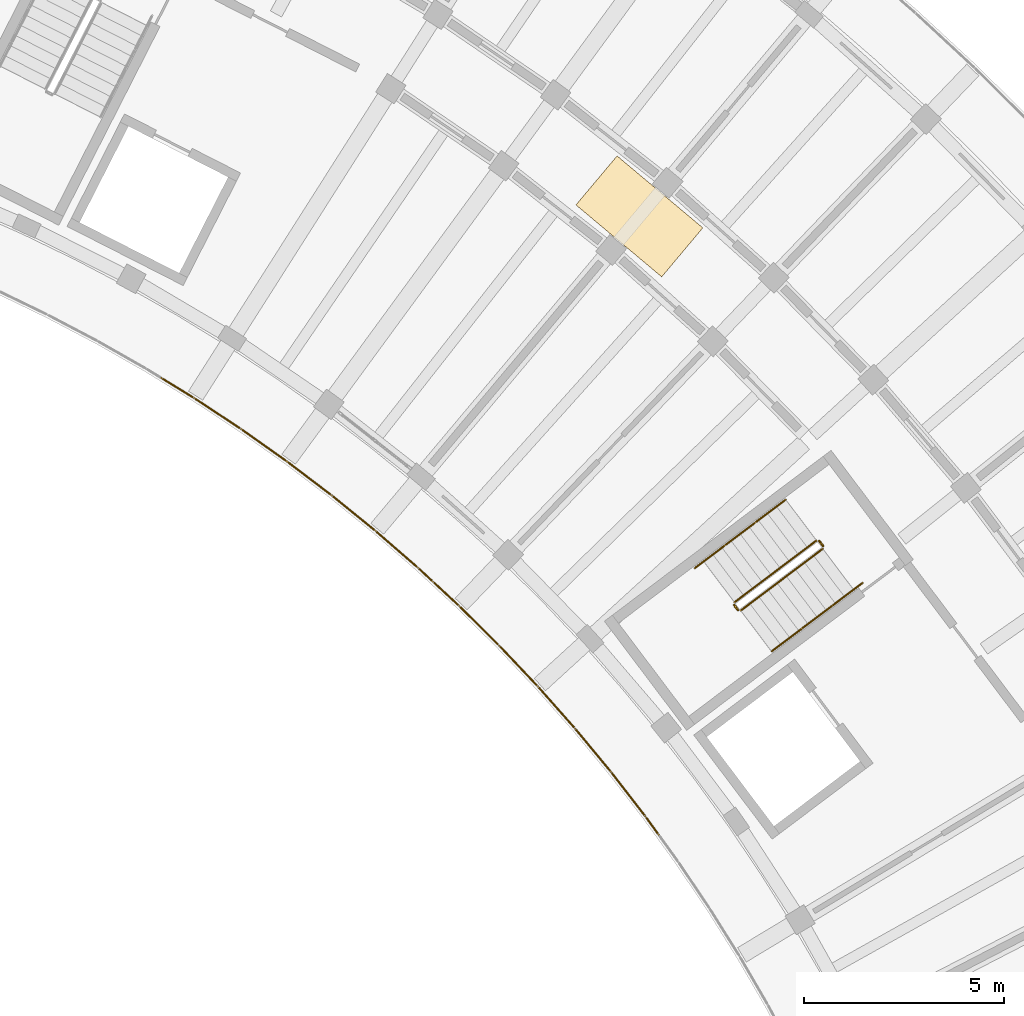
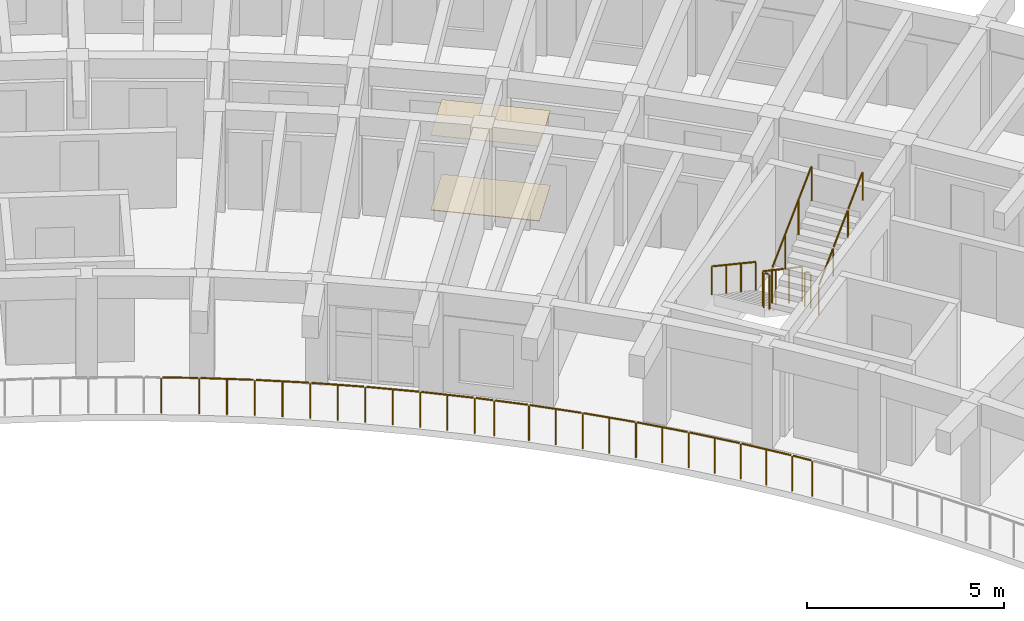
# One storey, part 78 of 81: 12 railings, 2 coverings.
"""IFC4 building model written with IfcOpenShell, lengths in metres."""

from ifc_helpers import new_model, si_unit, direction, frame, origin, origin_2d, place, context, subcontext, project, spatial, rectangle, circle, extrude, material, layer, layer_set, type_object, element, save


model = new_model("IFC4")

# Units and contexts
model_context = context("Model", 3, precision=1e-05, world=origin(), true_north=direction((0.0, 1.0)))
body_context = subcontext(model_context, "Body", "Model", "MODEL_VIEW")
ifc_project = project(units=[si_unit("LENGTHUNIT", "METRE"), si_unit("AREAUNIT", "SQUARE_METRE"), si_unit("VOLUMEUNIT", "CUBIC_METRE"), si_unit("PLANEANGLEUNIT", "RADIAN"), si_unit("MASSUNIT", "GRAM", prefix="KILO")], contexts=[model_context])

# Site, building, storey
site_placement = place(None, origin())
site = spatial("IfcSite", under=ifc_project, at=site_placement, CompositionType="ELEMENT")
building_placement = place(site_placement, origin())
building = spatial("IfcBuilding", under=site, at=building_placement, Name="Tanwirah Colonnade Gardens", CompositionType="ELEMENT")
storey_placement = place(building_placement, frame((0.0, 0.0, 18.919921875)))
storey = spatial("IfcBuildingStorey", under=building, at=storey_placement, Name="L05", CompositionType="ELEMENT", Elevation=18.919921875)

# Railings
ifc_material_1 = material(Name="Precast concrete C40/50", Category="concrete")
railing_type_1 = type_object("IfcRailingType", Name="BAL-EXT112", PredefinedType="BALUSTRADE", material=ifc_material_1)
railing_1_placement = place(storey_placement, frame((155.51513671875, 85.296142578125, 0.0)))
element("IfcRailing", 1, at=railing_1_placement, inside=storey, type_object=railing_type_1, Name="Block B L05 Balcony Ribbon Balustrade 3", PredefinedType="BALUSTRADE", context=body_context, shape_type="SweptSolid", body=[
    extrude(circle(Radius=0.02392578125, at=origin_2d()), frame((-0.018310546875, 0.025390625, 1.09619140625), z_axis=(-0.585664903779, 0.810553280471, 0.0), x_axis=(-0.810553280471, -0.585664903779, 0.0)), (0.0, 0.0, 1.0), 0.499755859375),
    extrude(circle(Radius=0.02392578125, at=origin_2d()), frame((-0.349853515625, 0.482666015625, 1.09619140625), z_axis=(-0.611783903817, 0.791024939576, 0.0), x_axis=(-0.791024939576, -0.611783903817, 0.0)), (0.0, 0.0, 1.0), 1.341796875),
    extrude(circle(Radius=0.02392578125, at=origin_2d()), frame((-1.211669921875, 1.594970703125, 1.09619140625), z_axis=(-0.637581943595, 0.770382544715, 0.0), x_axis=(-0.770382544715, -0.637581943595, 0.0)), (0.0, 0.0, 1.0), 1.342041015625),
    extrude(circle(Radius=0.02392578125, at=origin_2d()), frame((-2.109619140625, 2.67822265625, 1.09619140625), z_axis=(-0.662581384852, 0.748989925464, 0.0), x_axis=(-0.748989925464, -0.662581384852, 0.0)), (0.0, 0.0, 1.0), 1.341796875),
    extrude(circle(Radius=0.02392578125, at=origin_2d()), frame((-3.04248046875, 3.731201171875, 1.09619140625), z_axis=(-0.687011382404, 0.726646654466, 0.0), x_axis=(-0.726646654466, -0.687011382404, 0.0)), (0.0, 0.0, 1.0), 1.341796875),
    extrude(circle(Radius=0.02392578125, at=origin_2d()), frame((-4.009765625, 4.7529296875, 1.09619140625), z_axis=(-0.710488556831, 0.703708754111, 0.0), x_axis=(-0.703708754111, -0.710488556831, 0.0)), (0.0, 0.0, 1.0), 1.341796875),
    extrude(circle(Radius=0.02392578125, at=origin_2d()), frame((-5.01025390625, 5.7421875, 1.09619140625), z_axis=(-0.733450086442, 0.67974331236, 0.0), x_axis=(-0.67974331236, -0.733450086442, 0.0)), (0.0, 0.0, 1.0), 0.837646484375),
    extrude(circle(Radius=0.02099609375, at=origin_2d()), origin(), (0.0, 0.0, 1.0), 1.069091796875),
    extrude(circle(Radius=0.02099609375, at=origin_2d()), frame((-0.329345703125, 0.455810546875, 0.0)), (0.0, 0.0, 1.0), 1.069091796875),
    extrude(circle(Radius=0.02099609375, at=origin_2d()), frame((-0.76025390625, 1.013427734375, 0.0)), (0.0, 0.0, 1.0), 1.069091796875),
    extrude(circle(Radius=0.02099609375, at=origin_2d()), frame((-1.18994140625, 1.56884765625, 0.0)), (0.0, 0.0, 1.0), 1.069091796875),
    extrude(circle(Radius=0.02099609375, at=origin_2d()), frame((-1.639404296875, 2.11181640625, 0.0)), (0.0, 0.0, 1.0), 1.069091796875),
    extrude(circle(Radius=0.02099609375, at=origin_2d()), frame((-2.087158203125, 2.65283203125, 0.0)), (0.0, 0.0, 1.0), 1.069091796875),
    extrude(circle(Radius=0.02099609375, at=origin_2d()), frame((-2.55419921875, 3.1806640625, 0.0)), (0.0, 0.0, 1.0), 1.069091796875),
    extrude(circle(Radius=0.02099609375, at=origin_2d()), frame((-3.019287109375, 3.70654296875, 0.0)), (0.0, 0.0, 1.0), 1.069091796875),
    extrude(circle(Radius=0.02099609375, at=origin_2d()), frame((-3.50341796875, 4.21875, 0.0)), (0.0, 0.0, 1.0), 1.069091796875),
    extrude(circle(Radius=0.02099609375, at=origin_2d()), frame((-3.98583984375, 4.72900390625, 0.0)), (0.0, 0.0, 1.0), 1.069091796875),
    extrude(circle(Radius=0.02099609375, at=origin_2d()), frame((-4.486328125, 5.22509765625, 0.0)), (0.0, 0.0, 1.0), 1.069091796875),
    extrude(circle(Radius=0.02099609375, at=origin_2d()), frame((-4.9853515625, 5.71923828125, 0.0)), (0.0, 0.0, 1.0), 1.069091796875),
    extrude(circle(Radius=0.02099609375, at=origin_2d()), frame((-5.6474609375, 6.332763671875, 0.0)), (0.0, 0.0, 1.0), 1.069091796875),
])
railing_2_placement = place(storey_placement, frame((149.86767578125, 91.62890625, 0.0)))
element("IfcRailing", 2, at=railing_2_placement, inside=storey, type_object=railing_type_1, Name="Block B L05 Balcony Ribbon Balustrade 4", PredefinedType="BALUSTRADE", context=body_context, shape_type="SweptSolid", body=[
    extrude(circle(Radius=0.02392578125, at=origin_2d()), frame((-0.02294921875, 0.021240234375, 1.09619140625), z_axis=(-0.733224282582, 0.679986875926, 0.0), x_axis=(-0.679986875926, -0.733224282582, 0.0)), (0.0, 0.0, 1.0), 0.44189453125),
    extrude(circle(Radius=0.02392578125, at=origin_2d()), frame((-0.3955078125, 0.365234375, 1.09619140625), z_axis=(-0.755402192857, 0.655261418845, 0.0), x_axis=(-0.655261418845, -0.755402192857, 0.0)), (0.0, 0.0, 1.0), 1.341796875),
    extrude(circle(Radius=0.02392578125, at=origin_2d()), frame((-1.458740234375, 1.286376953125, 1.09619140625), z_axis=(-0.776491375378, 0.630127879056, 0.0), x_axis=(-0.630127879056, -0.776491375378, 0.0)), (0.0, 0.0, 1.0), 1.342041015625),
    extrude(circle(Radius=0.02392578125, at=origin_2d()), frame((-2.552001953125, 2.171875, 1.09619140625), z_axis=(-0.796818244666, 0.604219070344, 0.0), x_axis=(-0.604219070344, -0.796818244666, 0.0)), (0.0, 0.0, 1.0), 1.342041015625),
    extrude(circle(Radius=0.02392578125, at=origin_2d()), frame((-3.674072265625, 3.021240234375, 1.09619140625), z_axis=(-0.816321661452, 0.577597563226, 0.0), x_axis=(-0.577597563226, -0.816321661452, 0.0)), (0.0, 0.0, 1.0), 1.341552734375),
    extrude(circle(Radius=0.02392578125, at=origin_2d()), frame((-4.822998046875, 3.832763671875, 1.09619140625), z_axis=(-0.834927342507, 0.550360184547, 0.0), x_axis=(-0.550360184547, -0.834927342507, 0.0)), (0.0, 0.0, 1.0), 1.341796875),
    extrude(circle(Radius=0.02392578125, at=origin_2d()), frame((-5.998291015625, 4.606201171875, 1.09619140625), z_axis=(-0.852645184943, 0.522490371771, 0.0), x_axis=(-0.522490371771, -0.852645184943, 0.0)), (0.0, 0.0, 1.0), 0.895751953125),
    extrude(circle(Radius=0.02099609375, at=origin_2d()), origin(), (0.0, 0.0, 1.0), 1.069091796875),
    extrude(circle(Radius=0.02099609375, at=origin_2d()), frame((-0.369873046875, 0.343017578125, 0.0)), (0.0, 0.0, 1.0), 1.069091796875),
    extrude(circle(Radius=0.02099609375, at=origin_2d()), frame((-0.90234375, 0.8046875, 0.0)), (0.0, 0.0, 1.0), 1.069091796875),
    extrude(circle(Radius=0.02099609375, at=origin_2d()), frame((-1.4326171875, 1.264892578125, 0.0)), (0.0, 0.0, 1.0), 1.069091796875),
    extrude(circle(Radius=0.02099609375, at=origin_2d()), frame((-1.97998046875, 1.708984375, 0.0)), (0.0, 0.0, 1.0), 1.069091796875),
    extrude(circle(Radius=0.02099609375, at=origin_2d()), frame((-2.525146484375, 2.151611328125, 0.0)), (0.0, 0.0, 1.0), 1.069091796875),
    extrude(circle(Radius=0.02099609375, at=origin_2d()), frame((-3.086669921875, 2.577392578125, 0.0)), (0.0, 0.0, 1.0), 1.069091796875),
    extrude(circle(Radius=0.02099609375, at=origin_2d()), frame((-3.646240234375, 3.001708984375, 0.0)), (0.0, 0.0, 1.0), 1.069091796875),
    extrude(circle(Radius=0.02099609375, at=origin_2d()), frame((-4.2216796875, 3.40869140625, 0.0)), (0.0, 0.0, 1.0), 1.069091796875),
    extrude(circle(Radius=0.02099609375, at=origin_2d()), frame((-4.794677734375, 3.814208984375, 0.0)), (0.0, 0.0, 1.0), 1.069091796875),
    extrude(circle(Radius=0.02099609375, at=origin_2d()), frame((-5.38330078125, 4.2021484375, 0.0)), (0.0, 0.0, 1.0), 1.069091796875),
    extrude(circle(Radius=0.02099609375, at=origin_2d()), frame((-5.969482421875, 4.588623046875, 0.0)), (0.0, 0.0, 1.0), 1.069091796875),
    extrude(circle(Radius=0.02099609375, at=origin_2d()), frame((-6.788818359375, 5.090576171875, 0.0)), (0.0, 0.0, 1.0), 1.069091796875),
])

# Coverings
ifc_material_2 = material(Name="Acoustic perforated gypsum ceiling board")
ifc_layer_1 = layer(ifc_material_2, 0.014892578125)
ifc_layer_set_1 = layer_set([ifc_layer_1], Name="Acoustic perforated gypsum ceiling board")
covering_type_1 = type_object("IfcCoveringType", Name="COV-CEIL15", PredefinedType="CEILING", material=ifc_layer_set_1)
covering_1_placement = place(storey_placement, frame((155.03564453125, 100.761962890625, 2.3125), z_axis=(0.0, 0.0, 1.0), x_axis=(-0.766044443119, 0.642787609687, 0.0)))
element("IfcCovering", 3, at=covering_1_placement, inside=storey, type_object=covering_type_1, Name="Block B L05 Corridor Acoustic Ceiling", PredefinedType="CEILING", context=body_context, shape_type="SweptSolid", body=[
    extrude(rectangle(XDim=2.800048828125, YDim=1.60009765625, at=origin_2d()), origin(), (0.0, 0.0, 1.0), 0.014892578125),
])
ifc_material_3 = material(Name="Honed Abu Dhabi limestone terrazzo flooring", Category="masonry")
ifc_layer_2 = layer(ifc_material_3, 0.02001953125)
ifc_layer_set_2 = layer_set([ifc_layer_2], Name="Honed Abu Dhabi limestone terrazzo flooring")
covering_type_2 = type_object("IfcCoveringType", Name="COV-FLR20", PredefinedType="FLOORING", material=ifc_layer_set_2)
covering_2_placement = place(storey_placement, frame((155.03564453125, 100.761962890625, 0.0), z_axis=(0.0, 0.0, 1.0), x_axis=(-0.766044443119, 0.642787609687, 0.0)))
element("IfcCovering", 4, at=covering_2_placement, inside=storey, type_object=covering_type_2, Name="Block B L05 Corridor Terrazzo Flooring", PredefinedType="FLOORING", context=body_context, shape_type="SweptSolid", body=[
    extrude(rectangle(XDim=2.800048828125, YDim=1.60009765625, at=origin_2d()), origin(), (0.0, 0.0, 1.0), 0.02001953125),
])

# Railings
ifc_material_4 = material(Name="Powder-coated galvanized steel", Category="steel")
railing_type_2 = type_object("IfcRailingType", Name="GRD-ST110", PredefinedType="GUARDRAIL", material=ifc_material_4)
railing_3_placement = place(storey_placement, frame((159.46435546875, 92.6533203125, 0.16796875)))
element("IfcRailing", 5, at=railing_3_placement, inside=storey, type_object=railing_type_2, Name="L05 ST-B1 stair guard 1", PredefinedType="GUARDRAIL", context=body_context, shape_type="SweptSolid", body=[
    extrude(circle(Radius=0.02392578125, at=origin_2d()), frame((-0.021484375, -0.01611328125, 1.092041015625), z_axis=(-0.687969775442, -0.518396295631, 0.507900451619), x_axis=(0.601795686627, -0.798650080797, 0.0)), (0.0, 0.0, 1.0), 2.914794921875),
    extrude(circle(Radius=0.02099609375, at=origin_2d()), origin(), (0.0, 0.0, 1.0), 1.049072265625),
    extrude(circle(Radius=0.02099609375, at=origin_2d()), frame((-0.682861328125, -0.514404296875, 0.504150390625)), (0.0, 0.0, 1.0), 1.049072265625),
    extrude(circle(Radius=0.02099609375, at=origin_2d()), frame((-1.365478515625, -1.029052734375, 1.008056640625)), (0.0, 0.0, 1.0), 1.049072265625),
    extrude(circle(Radius=0.02099609375, at=origin_2d()), frame((-2.04833984375, -1.54345703125, 1.51220703125)), (0.0, 0.0, 1.0), 1.049072265625),
])
railing_4_placement = place(storey_placement, frame((157.406005859375, 91.039794921875, 1.68017578125)))
element("IfcRailing", 6, at=railing_4_placement, inside=storey, type_object=railing_type_2, Name="L05 ST-B1 stair guard 2", PredefinedType="GUARDRAIL", context=body_context, shape_type="SweptSolid", body=[
    extrude(circle(Radius=0.02392578125, at=origin_2d()), frame((0.018798828125, -0.02490234375, 1.076171875), z_axis=(0.601948835455, -0.798534657667, 0.0), x_axis=(0.798534657667, 0.601948835455, 0.0)), (0.0, 0.0, 1.0), 0.09765625),
    extrude(circle(Radius=0.02099609375, at=origin_2d()), origin(), (0.0, 0.0, 1.0), 1.049072265625),
    extrude(circle(Radius=0.02099609375, at=origin_2d()), frame((0.096435546875, -0.1279296875, 0.0)), (0.0, 0.0, 1.0), 1.049072265625),
])
railing_5_placement = place(storey_placement, frame((157.572265625, 90.902099609375, 1.84814453125)))
element("IfcRailing", 7, at=railing_5_placement, inside=storey, type_object=railing_type_2, Name="L05 ST-B1 stair guard 3", PredefinedType="GUARDRAIL", context=body_context, shape_type="SweptSolid", body=[
    extrude(circle(Radius=0.02392578125, at=origin_2d()), frame((0.021484375, 0.01611328125, 1.092041015625), z_axis=(0.688012363654, 0.518448596756, 0.507789365762), x_axis=(-0.601810650199, 0.798638805285, 0.0)), (0.0, 0.0, 1.0), 2.9150390625),
    extrude(circle(Radius=0.02099609375, at=origin_2d()), origin(), (0.0, 0.0, 1.0), 1.049072265625),
    extrude(circle(Radius=0.02099609375, at=origin_2d()), frame((0.682861328125, 0.5146484375, 0.50390625)), (0.0, 0.0, 1.0), 1.049072265625),
    extrude(circle(Radius=0.02099609375, at=origin_2d()), frame((1.36572265625, 1.029052734375, 1.008056640625)), (0.0, 0.0, 1.0), 1.049072265625),
    extrude(circle(Radius=0.02099609375, at=origin_2d()), frame((2.048583984375, 1.543701171875, 1.511962890625)), (0.0, 0.0, 1.0), 1.049072265625),
])
railing_6_placement = place(storey_placement, frame((159.534423828125, 92.6435546875, 0.0)))
element("IfcRailing", 8, at=railing_6_placement, inside=storey, type_object=railing_type_2, Name="L05 ST-B1 stair guard 4", PredefinedType="GUARDRAIL", context=body_context, shape_type="SweptSolid", body=[
    extrude(circle(Radius=0.02392578125, at=origin_2d()), frame((0.018798828125, -0.02490234375, 1.076171875), z_axis=(0.601709070646, -0.798715339969, 0.0), x_axis=(0.798715339969, 0.601709070646, 0.0)), (0.0, 0.0, 1.0), 0.097412109375),
    extrude(circle(Radius=0.02099609375, at=origin_2d()), origin(), (0.0, 0.0, 1.0), 1.049072265625),
    extrude(circle(Radius=0.02099609375, at=origin_2d()), frame((0.09619140625, -0.127685546875, 0.0)), (0.0, 0.0, 1.0), 1.049072265625),
])
ifc_material_5 = material(Name="Brushed bronze stainless steel", Category="steel")
railing_type_3 = type_object("IfcRailingType", Name="HR-ST090", PredefinedType="HANDRAIL", material=ifc_material_5)
railing_7_placement = place(storey_placement, frame((158.694091796875, 93.67578125, 0.16796875)))
element("IfcRailing", 9, at=railing_7_placement, inside=storey, type_object=railing_type_3, Name="L05 ST-B1 stair handrail 1", PredefinedType="HANDRAIL", context=body_context, shape_type="SweptSolid", body=[
    extrude(circle(Radius=0.02392578125, at=origin_2d()), frame((-0.021484375, -0.01611328125, 0.891845703125), z_axis=(-0.686067825084, -0.516979036791, 0.511901958292), x_axis=(0.601807485929, -0.798641189696, 0.0)), (0.0, 0.0, 1.0), 1.04345703125),
    extrude(circle(Radius=0.02099609375, at=origin_2d()), origin(), (0.0, 0.0, 1.0), 0.848876953125),
    extrude(circle(Radius=0.02099609375, at=origin_2d()), frame((-0.7587890625, -0.57177734375, 0.566162109375)), (0.0, 0.0, 1.0), 0.848876953125),
])
railing_8_placement = place(storey_placement, frame((157.935302734375, 93.10400390625, 0.734130859375)))
element("IfcRailing", 10, at=railing_8_placement, inside=storey, type_object=railing_type_3, Name="L05 ST-B1 stair handrail 2", PredefinedType="HANDRAIL", context=body_context, shape_type="SweptSolid", body=[
    extrude(circle(Radius=0.02392578125, at=origin_2d()), frame((-0.021484375, -0.01611328125, 0.891845703125), z_axis=(-0.686028488458, -0.517115777267, 0.511816554955), x_axis=(0.601931007785, -0.798548096152, 0.0)), (0.0, 0.0, 1.0), 1.043212890625),
    extrude(circle(Radius=0.02099609375, at=origin_2d()), origin(), (0.0, 0.0, 1.0), 0.848876953125),
    extrude(circle(Radius=0.02099609375, at=origin_2d()), frame((-0.758544921875, -0.57177734375, 0.56591796875)), (0.0, 0.0, 1.0), 0.848876953125),
])
railing_9_placement = place(storey_placement, frame((157.1767578125, 92.5322265625, 1.300048828125)))
element("IfcRailing", 11, at=railing_9_placement, inside=storey, type_object=railing_type_3, Name="L05 ST-B1 stair handrail 3", PredefinedType="HANDRAIL", context=body_context, shape_type="SweptSolid", body=[
    extrude(circle(Radius=0.02392578125, at=origin_2d()), frame((-0.021484375, -0.01611328125, 0.891845703125), z_axis=(-0.686145346169, -0.517037451972, 0.51173903231), x_axis=(0.601807485929, -0.798641189696, 0.0)), (0.0, 0.0, 1.0), 1.04345703125),
    extrude(circle(Radius=0.02099609375, at=origin_2d()), origin(), (0.0, 0.0, 1.0), 0.848876953125),
    extrude(circle(Radius=0.02099609375, at=origin_2d()), frame((-0.7587890625, -0.57177734375, 0.56591796875)), (0.0, 0.0, 1.0), 0.848876953125),
])
railing_10_placement = place(storey_placement, frame((158.3427734375, 89.8798828125, 1.84814453125)))
element("IfcRailing", 12, at=railing_10_placement, inside=storey, type_object=railing_type_3, Name="L05 ST-B1 stair handrail 4", PredefinedType="HANDRAIL", context=body_context, shape_type="SweptSolid", body=[
    extrude(circle(Radius=0.02392578125, at=origin_2d()), frame((0.021484375, 0.01611328125, 0.891845703125), z_axis=(0.686028488458, 0.517115777267, 0.511816554955), x_axis=(-0.601931007785, 0.798548096152, 0.0)), (0.0, 0.0, 1.0), 1.043212890625),
    extrude(circle(Radius=0.02099609375, at=origin_2d()), origin(), (0.0, 0.0, 1.0), 0.848876953125),
    extrude(circle(Radius=0.02099609375, at=origin_2d()), frame((0.758544921875, 0.57177734375, 0.56591796875)), (0.0, 0.0, 1.0), 0.848876953125),
])
railing_11_placement = place(storey_placement, frame((159.101318359375, 90.45166015625, 2.4140625)))
element("IfcRailing", 13, at=railing_11_placement, inside=storey, type_object=railing_type_3, Name="L05 ST-B1 stair handrail 5", PredefinedType="HANDRAIL", context=body_context, shape_type="SweptSolid", body=[
    extrude(circle(Radius=0.02392578125, at=origin_2d()), frame((0.021484375, 0.01611328125, 0.891845703125), z_axis=(0.686145346169, 0.517037451972, 0.51173903231), x_axis=(-0.601807485929, 0.798641189696, 0.0)), (0.0, 0.0, 1.0), 1.04345703125),
    extrude(circle(Radius=0.02099609375, at=origin_2d()), origin(), (0.0, 0.0, 1.0), 0.848876953125),
    extrude(circle(Radius=0.02099609375, at=origin_2d()), frame((0.7587890625, 0.57177734375, 0.56591796875)), (0.0, 0.0, 1.0), 0.848876953125),
])
railing_12_placement = place(storey_placement, frame((159.860107421875, 91.0234375, 2.97998046875)))
element("IfcRailing", 14, at=railing_12_placement, inside=storey, type_object=railing_type_3, Name="L05 ST-B1 stair handrail 6", PredefinedType="HANDRAIL", context=body_context, shape_type="SweptSolid", body=[
    extrude(circle(Radius=0.02392578125, at=origin_2d()), frame((0.021484375, 0.01611328125, 0.891845703125), z_axis=(0.686146115326, 0.516817263828, 0.511960373694), x_axis=(-0.601643549736, 0.798764695677, 0.0)), (0.0, 0.0, 1.0), 1.04345703125),
    extrude(circle(Radius=0.02099609375, at=origin_2d()), origin(), (0.0, 0.0, 1.0), 0.848876953125),
    extrude(circle(Radius=0.02099609375, at=origin_2d()), frame((0.7587890625, 0.571533203125, 0.566162109375)), (0.0, 0.0, 1.0), 0.848876953125),
])

save(model, "model.ifc")
